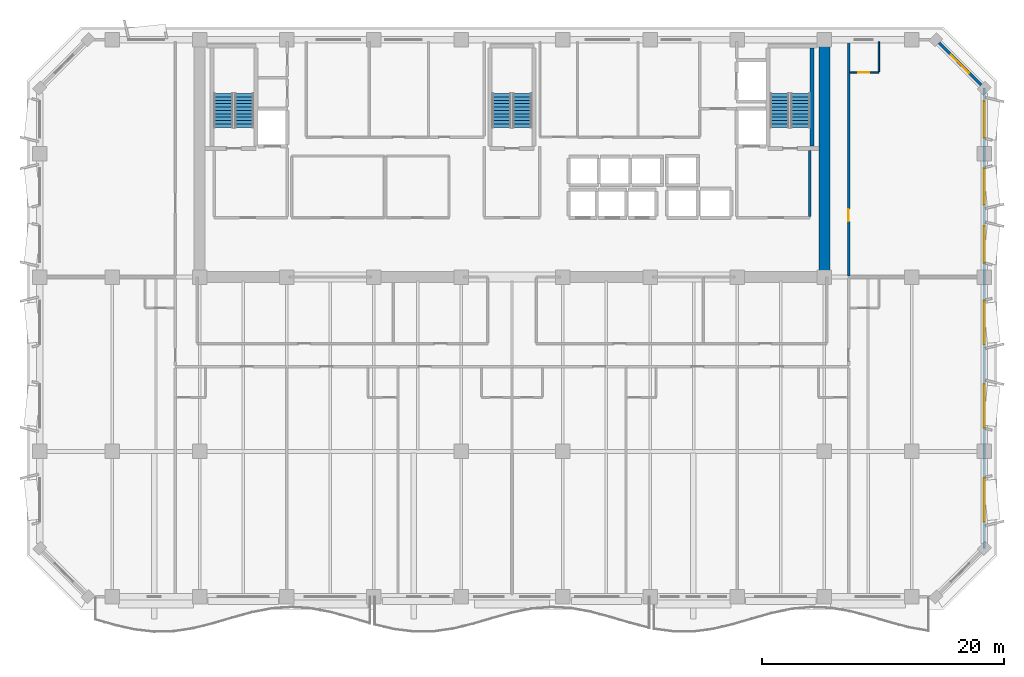
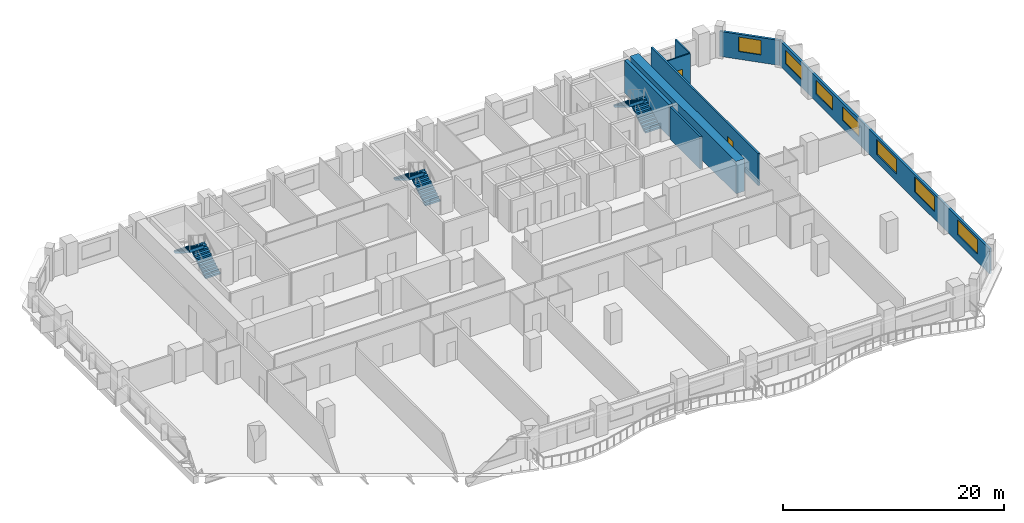
# One storey, part 9 of 14: 8 walls, 7 windows, 6 stair flights, 2 doors, 9 openings, 3 elements without a shape of their own.
"""IFC4 building model written with IfcOpenShell, lengths in metres."""

from ifc_helpers import new_model, si_unit, direction, frame, frame_2d, origin, place, context, subcontext, project, spatial, polyline, rectangle, outline, extrude, material, layer, layer_set, type_object, element, fill, aggregate, save


model = new_model("IFC4")

# Units and contexts
model_context = context("Model", 3, precision=1e-05, world=origin(), true_north=direction((0.0, 1.0)))
body_context = subcontext(model_context, "Body", "Model", "MODEL_VIEW")
ifc_project = project(units=[si_unit("LENGTHUNIT", "METRE"), si_unit("AREAUNIT", "SQUARE_METRE"), si_unit("VOLUMEUNIT", "CUBIC_METRE"), si_unit("PLANEANGLEUNIT", "RADIAN"), si_unit("MASSUNIT", "GRAM", prefix="KILO")], contexts=[model_context])

# Site, building, storey
site_placement = place(None, origin())
site = spatial("IfcSite", under=ifc_project, at=site_placement, CompositionType="ELEMENT")
building_placement = place(site_placement, origin())
building = spatial("IfcBuilding", under=site, at=building_placement, Name="Kaelvorn Grand Hotel", CompositionType="ELEMENT")
storey_placement = place(building_placement, frame((0.0, 0.0, 190.14990234375)))
storey = spatial("IfcBuildingStorey", under=building, at=storey_placement, Name="L46", CompositionType="ELEMENT", Elevation=190.14990234375)

# Wall
ifc_material_1 = material(Name="Concrete C60/75", Category="concrete")
ifc_layer_1 = layer(ifc_material_1, 0.89990234375)
ifc_layer_set_1 = layer_set([ifc_layer_1], Name="Concrete C60/75")
wall_type_1 = type_object("IfcWallType", Name="WL-CORE-900-C60", PredefinedType="SHEAR", material=ifc_layer_set_1)
wall_1_placement = place(storey_placement, frame((67.800048828125, 29.39990234375, 0.0), z_axis=(0.0, 0.0, 1.0), x_axis=(0.0, 1.0, 0.0)))
element("IfcWall", 1, at=wall_1_placement, inside=storey, type_object=wall_type_1, Name="L46 Rear-Core East Shear Wall", PredefinedType="SHEAR", context=body_context, shape_type="SweptSolid", body=[
    extrude(rectangle(XDim=19.2001953125, YDim=0.89990234375, at=frame_2d((9.60009765625, 0.0))), origin(), (0.0, 0.0, 1.0), 3.56005859375),
])

# Wall, openings, windows
ifc_material_2 = material(Name="Concrete C40/50", Category="concrete")
ifc_layer_2 = layer(ifc_material_2, 0.239990234375)
ifc_layer_set_2 = layer_set([ifc_layer_2], Name="Concrete C40/50")
wall_type_2 = type_object("IfcWallType", Name="WL-EXT-240-C40", PredefinedType="SOLIDWALL", material=ifc_layer_set_2)
wall_2_placement = place(storey_placement, frame((81.0, 7.0, 0.0), z_axis=(0.0, 0.0, 1.0), x_axis=(0.0, 1.0, 0.0)))
wall_2 = element("IfcWall", 2, at=wall_2_placement, inside=storey, type_object=wall_type_2, Name="L46 Exterior Architectural Concrete Wall 03", PredefinedType="SOLIDWALL", context=body_context, shape_type="SweptSolid", body=[
    extrude(rectangle(XDim=38.0, YDim=0.239990234375, at=frame_2d((19.0, 0.0))), origin(), (0.0, 0.0, 1.0), 2.760009765625),
])
opening_1_placement = place(wall_2_placement, frame((2.199951171875, 0.0, 0.85009765625)))
opening_1 = element("IfcOpeningElement", 3, at=opening_1_placement, cuts=wall_2, Name="Opening W3", PredefinedType="OPENING", context=body_context, shape_type="SweptSolid", body=[
    extrude(rectangle(XDim=3.60009765625, YDim=1.64990234375, at=frame_2d((1.800048828125, 0.824951171875))), frame((0.0, 0.1298828125, 0.0), z_axis=(0.0, -1.0, 0.0), x_axis=(1.0, 0.0, 0.0)), (0.0, 0.0, 1.0), 0.260009765625),
])
opening_2_placement = place(wall_2_placement, frame((9.965087890625, 0.0, 0.85009765625)))
opening_2 = element("IfcOpeningElement", 4, at=opening_2_placement, cuts=wall_2, Name="Opening W3", PredefinedType="OPENING", context=body_context, shape_type="SweptSolid", body=[
    extrude(rectangle(XDim=3.60009765625, YDim=1.64990234375, at=frame_2d((1.800048828125, 0.824951171875))), frame((0.0, 0.1298828125, 0.0), z_axis=(0.0, -1.0, 0.0), x_axis=(1.0, 0.0, 0.0)), (0.0, 0.0, 1.0), 0.260009765625),
])
opening_3_placement = place(wall_2_placement, frame((16.8349609375, 0.0, 0.85009765625)))
opening_3 = element("IfcOpeningElement", 5, at=opening_3_placement, cuts=wall_2, Name="Opening W3", PredefinedType="OPENING", context=body_context, shape_type="SweptSolid", body=[
    extrude(rectangle(XDim=3.60009765625, YDim=1.64990234375, at=frame_2d((1.800048828125, 0.824951171875))), frame((0.0, 0.1298828125, 0.0), z_axis=(0.0, -1.0, 0.0), x_axis=(1.0, 0.0, 0.0)), (0.0, 0.0, 1.0), 0.260009765625),
])
opening_4_placement = place(wall_2_placement, frame((23.614990234375, 0.0, 0.85009765625)))
opening_4 = element("IfcOpeningElement", 6, at=opening_4_placement, cuts=wall_2, Name="Opening W5", PredefinedType="OPENING", context=body_context, shape_type="SweptSolid", body=[
    extrude(rectangle(XDim=3.0, YDim=1.5, at=frame_2d((1.5, 0.75))), frame((0.0, 0.1298828125, 0.0), z_axis=(0.0, -1.0, 0.0), x_axis=(1.0, 0.0, 0.0)), (0.0, 0.0, 1.0), 0.260009765625),
])
opening_5_placement = place(wall_2_placement, frame((28.385009765625, 0.0, 0.85009765625)))
opening_5 = element("IfcOpeningElement", 7, at=opening_5_placement, cuts=wall_2, Name="Opening W5", PredefinedType="OPENING", context=body_context, shape_type="SweptSolid", body=[
    extrude(rectangle(XDim=3.0, YDim=1.5, at=frame_2d((1.5, 0.75))), frame((0.0, 0.1298828125, 0.0), z_axis=(0.0, -1.0, 0.0), x_axis=(1.0, 0.0, 0.0)), (0.0, 0.0, 1.0), 0.260009765625),
])
opening_6_placement = place(wall_2_placement, frame((33.9150390625, 0.0, 0.85009765625)))
opening_6 = element("IfcOpeningElement", 8, at=opening_6_placement, cuts=wall_2, Name="Opening W5", PredefinedType="OPENING", context=body_context, shape_type="SweptSolid", body=[
    extrude(rectangle(XDim=3.0, YDim=1.5, at=frame_2d((1.5, 0.75))), frame((0.0, 0.1298828125, 0.0), z_axis=(0.0, -1.0, 0.0), x_axis=(1.0, 0.0, 0.0)), (0.0, 0.0, 1.0), 0.260009765625),
])
ifc_material_3 = material(Name="Laminated Low-E Glass", Category="glass")
window_type_1 = type_object("IfcWindowType", Name="WIN-NTH-3000x1500", PartitioningType="SINGLE_PANEL", PredefinedType="WINDOW", material=ifc_material_3)
window_1_placement = place(opening_4_placement, origin())
window_1 = element("IfcWindow", 9, at=window_1_placement, inside=storey, type_object=window_type_1, Name="L46 E Wing Tilted-Frame Ribbon Window E04", OverallHeight=1.5, OverallWidth=3.0, PartitioningType="SINGLE_PANEL", PredefinedType="WINDOW", context=body_context, shape_type="SweptSolid", body=[
    extrude(rectangle(XDim=3.0, YDim=1.5, at=frame_2d((1.5, 0.75))), frame((0.0, 0.030029296875, 0.0), z_axis=(0.0, -1.0, 0.0), x_axis=(1.0, 0.0, 0.0)), (0.0, 0.0, 1.0), 0.06005859375),
])
fill(opening_4, window_1)
window_2_placement = place(opening_5_placement, origin())
window_2 = element("IfcWindow", 10, at=window_2_placement, inside=storey, type_object=window_type_1, Name="L46 E Wing Tilted-Frame Ribbon Window E05", OverallHeight=1.5, OverallWidth=3.0, PartitioningType="SINGLE_PANEL", PredefinedType="WINDOW", context=body_context, shape_type="SweptSolid", body=[
    extrude(rectangle(XDim=3.0, YDim=1.5, at=frame_2d((1.5, 0.75))), frame((0.0, 0.030029296875, 0.0), z_axis=(0.0, -1.0, 0.0), x_axis=(1.0, 0.0, 0.0)), (0.0, 0.0, 1.0), 0.06005859375),
])
fill(opening_5, window_2)
window_3_placement = place(opening_6_placement, origin())
window_3 = element("IfcWindow", 11, at=window_3_placement, inside=storey, type_object=window_type_1, Name="L46 E Wing Tilted-Frame Ribbon Window E06", OverallHeight=1.5, OverallWidth=3.0, PartitioningType="SINGLE_PANEL", PredefinedType="WINDOW", context=body_context, shape_type="SweptSolid", body=[
    extrude(rectangle(XDim=3.0, YDim=1.5, at=frame_2d((1.5, 0.75))), frame((0.0, 0.030029296875, 0.0), z_axis=(0.0, -1.0, 0.0), x_axis=(1.0, 0.0, 0.0)), (0.0, 0.0, 1.0), 0.06005859375),
])
fill(opening_6, window_3)
window_type_2 = type_object("IfcWindowType", Name="WIN-RIB-3600x1750", PartitioningType="SINGLE_PANEL", PredefinedType="WINDOW", material=ifc_material_3)
window_4_placement = place(opening_1_placement, origin())
window_4 = element("IfcWindow", 12, at=window_4_placement, inside=storey, type_object=window_type_2, Name="L46 E Wing Tilted-Frame Ribbon Window E01", OverallHeight=1.64990234375, OverallWidth=3.60009765625, PartitioningType="SINGLE_PANEL", PredefinedType="WINDOW", context=body_context, shape_type="SweptSolid", body=[
    extrude(rectangle(XDim=3.60009765625, YDim=1.64990234375, at=frame_2d((1.800048828125, 0.824951171875))), frame((0.0, 0.030029296875, 0.0), z_axis=(0.0, -1.0, 0.0), x_axis=(1.0, 0.0, 0.0)), (0.0, 0.0, 1.0), 0.06005859375),
])
fill(opening_1, window_4)
window_5_placement = place(opening_2_placement, origin())
window_5 = element("IfcWindow", 13, at=window_5_placement, inside=storey, type_object=window_type_2, Name="L46 E Wing Tilted-Frame Ribbon Window E02", OverallHeight=1.64990234375, OverallWidth=3.60009765625, PartitioningType="SINGLE_PANEL", PredefinedType="WINDOW", context=body_context, shape_type="SweptSolid", body=[
    extrude(rectangle(XDim=3.60009765625, YDim=1.64990234375, at=frame_2d((1.800048828125, 0.824951171875))), frame((0.0, 0.030029296875, 0.0), z_axis=(0.0, -1.0, 0.0), x_axis=(1.0, 0.0, 0.0)), (0.0, 0.0, 1.0), 0.06005859375),
])
fill(opening_2, window_5)
window_6_placement = place(opening_3_placement, origin())
window_6 = element("IfcWindow", 14, at=window_6_placement, inside=storey, type_object=window_type_2, Name="L46 E Wing Tilted-Frame Ribbon Window E03", OverallHeight=1.64990234375, OverallWidth=3.60009765625, PartitioningType="SINGLE_PANEL", PredefinedType="WINDOW", context=body_context, shape_type="SweptSolid", body=[
    extrude(rectangle(XDim=3.60009765625, YDim=1.64990234375, at=frame_2d((1.800048828125, 0.824951171875))), frame((0.0, 0.030029296875, 0.0), z_axis=(0.0, -1.0, 0.0), x_axis=(1.0, 0.0, 0.0)), (0.0, 0.0, 1.0), 0.06005859375),
])
fill(opening_3, window_6)

# Wall, opening, window
wall_3_placement = place(storey_placement, frame((81.0, 45.0, 0.0), z_axis=(0.0, 0.0, 1.0), x_axis=(-0.707106781187, 0.707106781187, 0.0)))
wall_3 = element("IfcWall", 15, at=wall_3_placement, inside=storey, type_object=wall_type_2, Name="L46 Exterior Architectural Concrete Wall 04", PredefinedType="SOLIDWALL", context=body_context, shape_type="SweptSolid", body=[
    extrude(rectangle(XDim=5.65673828125, YDim=0.239990234375, at=frame_2d((2.828369140625, 0.0))), origin(), (0.0, 0.0, 1.0), 2.760009765625),
])
opening_7_placement = place(wall_3_placement, frame((1.7783203125, 0.0, 0.85009765625)))
opening_7 = element("IfcOpeningElement", 16, at=opening_7_placement, cuts=wall_3, Name="Opening W7", PredefinedType="OPENING", context=body_context, shape_type="SweptSolid", body=[
    extrude(rectangle(XDim=2.10009765625, YDim=1.60009765625, at=frame_2d((1.050048828125, 0.800048828125))), frame((0.0, 0.1298828125, 0.0), z_axis=(0.0, -1.0, 0.0), x_axis=(1.0, 0.0, 0.0)), (0.0, 0.0, 1.0), 0.260009765625),
])
window_type_3 = type_object("IfcWindowType", Name="WIN-CHM-2100x1600", PartitioningType="SINGLE_PANEL", PredefinedType="WINDOW", material=ifc_material_3)
window_7_placement = place(opening_7_placement, origin())
window_7 = element("IfcWindow", 17, at=window_7_placement, inside=storey, type_object=window_type_3, Name="L46 Chamfered 45-Degree Corner Window NE", OverallHeight=1.60009765625, OverallWidth=2.10009765625, PartitioningType="SINGLE_PANEL", PredefinedType="WINDOW", context=body_context, shape_type="SweptSolid", body=[
    extrude(rectangle(XDim=2.10009765625, YDim=1.60009765625, at=frame_2d((1.050048828125, 0.800048828125))), frame((0.0, 0.030029296875, 0.0), z_axis=(0.0, -1.0, 0.0), x_axis=(1.0, 0.0, 0.0)), (0.0, 0.0, 1.0), 0.06005859375),
])
fill(opening_7, window_7)

# Wall, opening, door
ifc_material_4 = material(Name="Moisture-Resistant Tile & Stud Board")
ifc_layer_3 = layer(ifc_material_4, 0.125)
ifc_layer_set_3 = layer_set([ifc_layer_3], Name="Moisture-Resistant Tile & Stud Board")
wall_type_3 = type_object("IfcWallType", Name="WL-PART-125-WET", PredefinedType="PARTITIONING", material=ifc_layer_set_3)
wall_4_placement = place(storey_placement, frame((69.89501953125, 46.300048828125, 0.0), z_axis=(0.0, 0.0, 1.0), x_axis=(1.0, 0.0, 0.0)))
wall_4 = element("IfcWall", 18, at=wall_4_placement, inside=storey, type_object=wall_type_3, Name="L46 En-suite Bathroom L46-09 S Partition", PredefinedType="PARTITIONING", context=body_context, shape_type="SweptSolid", body=[
    extrude(rectangle(XDim=2.405029296875, YDim=0.125, at=frame_2d((1.20263671875, 0.0))), origin(), (0.0, 0.0, 1.0), 3.56005859375),
])
opening_8_placement = place(wall_4_placement, frame((0.705078125, 0.0, 0.0)))
opening_8 = element("IfcOpeningElement", 19, at=opening_8_placement, cuts=wall_4, Name="Opening DI4", PredefinedType="OPENING", context=body_context, shape_type="SweptSolid", body=[
    extrude(rectangle(XDim=0.89990234375, YDim=2.10009765625, at=frame_2d((0.449951171875, 1.050048828125))), frame((0.0, 0.072509765625, 0.0), z_axis=(0.0, -1.0, 0.0), x_axis=(1.0, 0.0, 0.0)), (0.0, 0.0, 1.0), 0.14501953125),
])
ifc_material_5 = material(Name="Timber Veneer Leaf", Category="wood")
door_type_1 = type_object("IfcDoorType", Name="DR-INT-BATH-900x2100", OperationType="NOTDEFINED", PredefinedType="DOOR", material=ifc_material_5)
door_1_placement = place(opening_8_placement, origin())
door_1 = element("IfcDoor", 20, at=door_1_placement, inside=storey, type_object=door_type_1, Name="L46 En-suite Bathroom L46-09 Door", OperationType="SINGLE_SWING_RIGHT", OverallHeight=2.10009765625, OverallWidth=0.89990234375, PredefinedType="DOOR", context=body_context, shape_type="SweptSolid", body=[
    extrude(rectangle(XDim=0.89990234375, YDim=2.10009765625, at=frame_2d((0.449951171875, 1.050048828125))), frame((0.0, 0.02490234375, 0.0), z_axis=(0.0, -1.0, 0.0), x_axis=(1.0, 0.0, 0.0)), (0.0, 0.0, 1.0), 0.050048828125),
])
fill(opening_8, door_1)

# Wall
wall_5_placement = place(storey_placement, frame((72.300048828125, 46.367431640625, 0.0), z_axis=(0.0, 0.0, 1.0), x_axis=(0.0, 1.0, 0.0)))
element("IfcWall", 21, at=wall_5_placement, inside=storey, type_object=wall_type_3, Name="L46 En-suite Bathroom L46-09 E Partition", PredefinedType="PARTITIONING", context=body_context, shape_type="SweptSolid", body=[
    extrude(rectangle(XDim=2.482666015625, YDim=0.125, at=frame_2d((1.2412109375, 0.0))), origin(), (0.0, 0.0, 1.0), 3.56005859375),
])

# Wall, opening, door
ifc_material_6 = material(Name="Acoustic Gypsum & Stud Partition")
ifc_layer_4 = layer(ifc_material_6, 0.179931640625)
ifc_layer_set_4 = layer_set([ifc_layer_4], Name="Acoustic Gypsum & Stud Partition")
wall_type_4 = type_object("IfcWallType", Name="WL-PART-180-EI60", PredefinedType="PARTITIONING", material=ifc_layer_set_4)
wall_6_placement = place(storey_placement, frame((69.800048828125, 29.4951171875, 0.0), z_axis=(0.0, 0.0, 1.0), x_axis=(0.0, 1.0, 0.0)))
wall_6 = element("IfcWall", 22, at=wall_6_placement, inside=storey, type_object=wall_type_4, Name="L46 North-East Corner Suite L46-09 W Partition", PredefinedType="PARTITIONING", context=body_context, shape_type="SweptSolid", body=[
    extrude(rectangle(XDim=19.35498046875, YDim=0.179931640625, at=frame_2d((9.677490234375, 0.0))), origin(), (0.0, 0.0, 1.0), 3.56005859375),
])
opening_9_placement = place(wall_6_placement, frame((4.5048828125, 0.0, 0.0)))
opening_9 = element("IfcOpeningElement", 23, at=opening_9_placement, cuts=wall_6, Name="Opening DI3", PredefinedType="OPENING", context=body_context, shape_type="SweptSolid", body=[
    extrude(rectangle(XDim=1.0, YDim=2.14990234375, at=frame_2d((0.5, 1.074951171875))), frame((0.0, 0.10009765625, 0.0), z_axis=(0.0, -1.0, 0.0), x_axis=(1.0, 0.0, 0.0)), (0.0, 0.0, 1.0), 0.199951171875),
])
ifc_material_7 = material(Name="Timber Veneer Fire Leaf", Category="wood")
door_type_2 = type_object("IfcDoorType", Name="DR-INT-GUEST-1000x2150", OperationType="NOTDEFINED", PredefinedType="DOOR", material=ifc_material_7)
door_2_placement = place(opening_9_placement, origin())
door_2 = element("IfcDoor", 24, at=door_2_placement, inside=storey, type_object=door_type_2, Name="L46 North-East Corner Suite L46-09 Door", OperationType="SINGLE_SWING_LEFT", OverallHeight=2.14990234375, OverallWidth=1.0, PredefinedType="DOOR", context=body_context, shape_type="SweptSolid", body=[
    extrude(rectangle(XDim=1.0, YDim=2.14990234375, at=frame_2d((0.5, 1.074951171875))), frame((0.0, 0.02490234375, 0.0), z_axis=(0.0, -1.0, 0.0), x_axis=(1.0, 0.0, 0.0)), (0.0, 0.0, 1.0), 0.050048828125),
])
fill(opening_9, door_2)

# Walls
ifc_layer_5 = layer(ifc_material_2, 0.219970703125)
ifc_layer_set_5 = layer_set([ifc_layer_5], Name="Concrete C40/50")
wall_type_5 = type_object("IfcWallType", Name="WL-PART-220-EI120", PredefinedType="PARTITIONING", material=ifc_layer_set_5)
wall_7_placement = place(storey_placement, frame((66.60009765625, 34.4150390625, 0.0), z_axis=(0.0, 0.0, 1.0), x_axis=(0.0, 1.0, 0.0)))
element("IfcWall", 25, at=wall_7_placement, inside=storey, type_object=wall_type_5, Name="L46 Firefighting Lift Lobby 2 E Partition", PredefinedType="PARTITIONING", context=body_context, shape_type="SweptSolid", body=[
    extrude(rectangle(XDim=5.429931640625, YDim=0.219970703125, at=frame_2d((2.71484375, 0.0))), origin(), (0.0, 0.0, 1.0), 3.56005859375),
])
ifc_layer_6 = layer(ifc_material_1, 0.35009765625)
ifc_layer_set_6 = layer_set([ifc_layer_6], Name="Concrete C60/75")
wall_type_6 = type_object("IfcWallType", Name="WL-SHAFT-350-C60", PredefinedType="SHEAR", material=ifc_layer_set_6)
wall_8_placement = place(storey_placement, frame((66.77490234375, 40.205078125, 0.0), z_axis=(0.0, 0.0, 1.0), x_axis=(0.0, 1.0, 0.0)))
element("IfcWall", 26, at=wall_8_placement, inside=storey, type_object=wall_type_6, Name="L46 ST3 Stair Shaft East Wall", PredefinedType="SHEAR", context=body_context, shape_type="SweptSolid", body=[
    extrude(rectangle(XDim=8.08984375, YDim=0.35009765625, at=frame_2d((4.044921875, 0.0))), origin(), (0.0, 0.0, 1.0), 3.56005859375),
])

# Stair, stair flights
stair_type = type_object("IfcStairType", Name="STR-DOG-1560-R08", PredefinedType="HALF_TURN_STAIR", material=ifc_material_2)
stair_1_placement = place(storey_placement, origin())
stair_1 = element("IfcStair", 27, at=stair_1_placement, inside=storey, type_object=stair_type, Name="L46 West Core Exit Stair ST1", PredefinedType="HALF_TURN_STAIR")
stair_flight_type = type_object("IfcStairFlightType", Name="FLG-DOG-1560-R08", PredefinedType="STRAIGHT", material=ifc_material_2)
stair_flight_1_placement = place(storey_placement, frame((19.89990234375, 41.760009765625, 0.0), z_axis=(0.0, 0.0, 1.0), x_axis=(0.0, 1.0, 0.0)))
stair_flight_1 = element("IfcStairFlight", 28, at=stair_flight_1_placement, type_object=stair_flight_type, Name="ST1 flight 1", NumberOfRisers=11, NumberOfTreads=10, PredefinedType="STRAIGHT", RiserHeight=0.172727273, TreadLength=0.28, context=body_context, shape_type="SweptSolid", body=[
    extrude(outline(polyline([(-0.0048828125, 0.0), (-0.0048828125, 0.0400390625), (0.0, 0.172607421875), (0.280029296875, 0.172607421875), (0.280029296875, 0.345458984375), (0.56005859375, 0.345458984375), (0.56005859375, 0.51806640625), (0.840087890625, 0.51806640625), (0.840087890625, 0.69091796875), (1.1201171875, 0.69091796875), (1.1201171875, 0.863525390625), (1.39990234375, 0.863525390625), (1.39990234375, 1.036376953125), (1.679931640625, 1.036376953125), (1.679931640625, 1.208984375), (1.9599609375, 1.208984375), (1.9599609375, 1.3818359375), (2.239990234375, 1.3818359375), (2.239990234375, 1.554443359375), (2.52001953125, 1.554443359375), (2.52001953125, 1.727294921875), (2.800048828125, 1.727294921875), (2.800048828125, 1.89990234375), (2.804931640625, 1.89990234375), (2.804931640625, 1.551025390625), (0.285400390625, 0.0), (-0.0048828125, 0.0)])), frame((0.0, 0.780029296875, 0.0), z_axis=(0.0, -1.0, 0.0), x_axis=(1.0, 0.0, 0.0)), (0.0, 0.0, 1.0), 1.56005859375),
])
stair_flight_2_placement = place(storey_placement, frame((18.179931640625, 44.56005859375, 1.900146484375), z_axis=(0.0, 0.0, 1.0), x_axis=(0.0, -1.0, 0.0)))
stair_flight_2 = element("IfcStairFlight", 29, at=stair_flight_2_placement, type_object=stair_flight_type, Name="ST1 flight 2", NumberOfRisers=11, NumberOfTreads=10, PredefinedType="STRAIGHT", RiserHeight=0.172727273, TreadLength=0.28, context=body_context, shape_type="SweptSolid", body=[
    extrude(outline(polyline([(-0.0048828125, 0.0), (-0.0048828125, 0.0400390625), (0.0, 0.172607421875), (0.280029296875, 0.172607421875), (0.280029296875, 0.345458984375), (0.56005859375, 0.345458984375), (0.56005859375, 0.51806640625), (0.840087890625, 0.51806640625), (0.840087890625, 0.69091796875), (1.1201171875, 0.69091796875), (1.1201171875, 0.863525390625), (1.39990234375, 0.863525390625), (1.39990234375, 1.036376953125), (1.679931640625, 1.036376953125), (1.679931640625, 1.208984375), (1.9599609375, 1.208984375), (1.9599609375, 1.3818359375), (2.239990234375, 1.3818359375), (2.239990234375, 1.554443359375), (2.52001953125, 1.554443359375), (2.52001953125, 1.727294921875), (2.800048828125, 1.727294921875), (2.800048828125, 1.89990234375), (2.804931640625, 1.89990234375), (2.804931640625, 1.551025390625), (0.285400390625, 0.0), (-0.0048828125, 0.0)])), frame((0.0, 0.780029296875, 0.0), z_axis=(0.0, -1.0, 0.0), x_axis=(1.0, 0.0, 0.0)), (0.0, 0.0, 1.0), 1.56005859375),
])
aggregate(stair_1, [stair_flight_1, stair_flight_2])

stair_2_placement = place(storey_placement, origin())
stair_2 = element("IfcStair", 30, at=stair_2_placement, inside=storey, type_object=stair_type, Name="L46 Central Core Exit Stair ST2", PredefinedType="HALF_TURN_STAIR")
stair_flight_3_placement = place(storey_placement, frame((42.860107421875, 41.760009765625, 0.0), z_axis=(0.0, 0.0, 1.0), x_axis=(0.0, 1.0, 0.0)))
stair_flight_3 = element("IfcStairFlight", 31, at=stair_flight_3_placement, type_object=stair_flight_type, Name="ST2 flight 1", NumberOfRisers=11, NumberOfTreads=10, PredefinedType="STRAIGHT", RiserHeight=0.172727273, TreadLength=0.28, context=body_context, shape_type="SweptSolid", body=[
    extrude(outline(polyline([(-0.0048828125, 0.0), (-0.0048828125, 0.0400390625), (0.0, 0.172607421875), (0.280029296875, 0.172607421875), (0.280029296875, 0.345458984375), (0.56005859375, 0.345458984375), (0.56005859375, 0.51806640625), (0.840087890625, 0.51806640625), (0.840087890625, 0.69091796875), (1.1201171875, 0.69091796875), (1.1201171875, 0.863525390625), (1.39990234375, 0.863525390625), (1.39990234375, 1.036376953125), (1.679931640625, 1.036376953125), (1.679931640625, 1.208984375), (1.9599609375, 1.208984375), (1.9599609375, 1.3818359375), (2.239990234375, 1.3818359375), (2.239990234375, 1.554443359375), (2.52001953125, 1.554443359375), (2.52001953125, 1.727294921875), (2.800048828125, 1.727294921875), (2.800048828125, 1.89990234375), (2.804931640625, 1.89990234375), (2.804931640625, 1.551025390625), (0.285400390625, 0.0), (-0.0048828125, 0.0)])), frame((0.0, 0.780029296875, 0.0), z_axis=(0.0, -1.0, 0.0), x_axis=(1.0, 0.0, 0.0)), (0.0, 0.0, 1.0), 1.56005859375),
])
stair_flight_4_placement = place(storey_placement, frame((41.139892578125, 44.56005859375, 1.900146484375), z_axis=(0.0, 0.0, 1.0), x_axis=(0.0, -1.0, 0.0)))
stair_flight_4 = element("IfcStairFlight", 32, at=stair_flight_4_placement, type_object=stair_flight_type, Name="ST2 flight 2", NumberOfRisers=11, NumberOfTreads=10, PredefinedType="STRAIGHT", RiserHeight=0.172727273, TreadLength=0.28, context=body_context, shape_type="SweptSolid", body=[
    extrude(outline(polyline([(-0.0048828125, 0.0), (-0.0048828125, 0.0400390625), (0.0, 0.172607421875), (0.280029296875, 0.172607421875), (0.280029296875, 0.345458984375), (0.56005859375, 0.345458984375), (0.56005859375, 0.51806640625), (0.840087890625, 0.51806640625), (0.840087890625, 0.69091796875), (1.1201171875, 0.69091796875), (1.1201171875, 0.863525390625), (1.39990234375, 0.863525390625), (1.39990234375, 1.036376953125), (1.679931640625, 1.036376953125), (1.679931640625, 1.208984375), (1.9599609375, 1.208984375), (1.9599609375, 1.3818359375), (2.239990234375, 1.3818359375), (2.239990234375, 1.554443359375), (2.52001953125, 1.554443359375), (2.52001953125, 1.727294921875), (2.800048828125, 1.727294921875), (2.800048828125, 1.89990234375), (2.804931640625, 1.89990234375), (2.804931640625, 1.551025390625), (0.285400390625, 0.0), (-0.0048828125, 0.0)])), frame((0.0, 0.780029296875, 0.0), z_axis=(0.0, -1.0, 0.0), x_axis=(1.0, 0.0, 0.0)), (0.0, 0.0, 1.0), 1.56005859375),
])
aggregate(stair_2, [stair_flight_3, stair_flight_4])

stair_3_placement = place(storey_placement, origin())
stair_3 = element("IfcStair", 33, at=stair_3_placement, inside=storey, type_object=stair_type, Name="L46 East Core Exit Stair ST3", PredefinedType="HALF_TURN_STAIR")
stair_flight_5_placement = place(storey_placement, frame((65.820068359375, 41.760009765625, 0.0), z_axis=(0.0, 0.0, 1.0), x_axis=(0.0, 1.0, 0.0)))
stair_flight_5 = element("IfcStairFlight", 34, at=stair_flight_5_placement, type_object=stair_flight_type, Name="ST3 flight 1", NumberOfRisers=11, NumberOfTreads=10, PredefinedType="STRAIGHT", RiserHeight=0.172727273, TreadLength=0.28, context=body_context, shape_type="SweptSolid", body=[
    extrude(outline(polyline([(-0.0048828125, 0.0), (-0.0048828125, 0.0400390625), (0.0, 0.172607421875), (0.280029296875, 0.172607421875), (0.280029296875, 0.345458984375), (0.56005859375, 0.345458984375), (0.56005859375, 0.51806640625), (0.840087890625, 0.51806640625), (0.840087890625, 0.69091796875), (1.1201171875, 0.69091796875), (1.1201171875, 0.863525390625), (1.39990234375, 0.863525390625), (1.39990234375, 1.036376953125), (1.679931640625, 1.036376953125), (1.679931640625, 1.208984375), (1.9599609375, 1.208984375), (1.9599609375, 1.3818359375), (2.239990234375, 1.3818359375), (2.239990234375, 1.554443359375), (2.52001953125, 1.554443359375), (2.52001953125, 1.727294921875), (2.800048828125, 1.727294921875), (2.800048828125, 1.89990234375), (2.804931640625, 1.89990234375), (2.804931640625, 1.551025390625), (0.285400390625, 0.0), (-0.0048828125, 0.0)])), frame((0.0, 0.780029296875, 0.0), z_axis=(0.0, -1.0, 0.0), x_axis=(1.0, 0.0, 0.0)), (0.0, 0.0, 1.0), 1.56005859375),
])
stair_flight_6_placement = place(storey_placement, frame((64.10009765625, 44.56005859375, 1.900146484375), z_axis=(0.0, 0.0, 1.0), x_axis=(0.0, -1.0, 0.0)))
stair_flight_6 = element("IfcStairFlight", 35, at=stair_flight_6_placement, type_object=stair_flight_type, Name="ST3 flight 2", NumberOfRisers=11, NumberOfTreads=10, PredefinedType="STRAIGHT", RiserHeight=0.172727273, TreadLength=0.28, context=body_context, shape_type="SweptSolid", body=[
    extrude(outline(polyline([(-0.0048828125, 0.0), (-0.0048828125, 0.0400390625), (0.0, 0.172607421875), (0.280029296875, 0.172607421875), (0.280029296875, 0.345458984375), (0.56005859375, 0.345458984375), (0.56005859375, 0.51806640625), (0.840087890625, 0.51806640625), (0.840087890625, 0.69091796875), (1.1201171875, 0.69091796875), (1.1201171875, 0.863525390625), (1.39990234375, 0.863525390625), (1.39990234375, 1.036376953125), (1.679931640625, 1.036376953125), (1.679931640625, 1.208984375), (1.9599609375, 1.208984375), (1.9599609375, 1.3818359375), (2.239990234375, 1.3818359375), (2.239990234375, 1.554443359375), (2.52001953125, 1.554443359375), (2.52001953125, 1.727294921875), (2.800048828125, 1.727294921875), (2.800048828125, 1.89990234375), (2.804931640625, 1.89990234375), (2.804931640625, 1.551025390625), (0.285400390625, 0.0), (-0.0048828125, 0.0)])), frame((0.0, 0.780029296875, 0.0), z_axis=(0.0, -1.0, 0.0), x_axis=(1.0, 0.0, 0.0)), (0.0, 0.0, 1.0), 1.56005859375),
])
aggregate(stair_3, [stair_flight_5, stair_flight_6])

save(model, "model.ifc")
